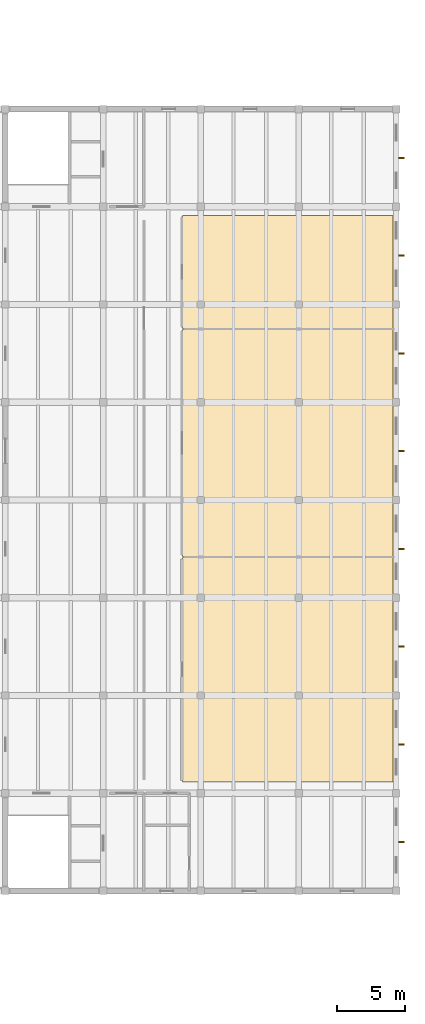
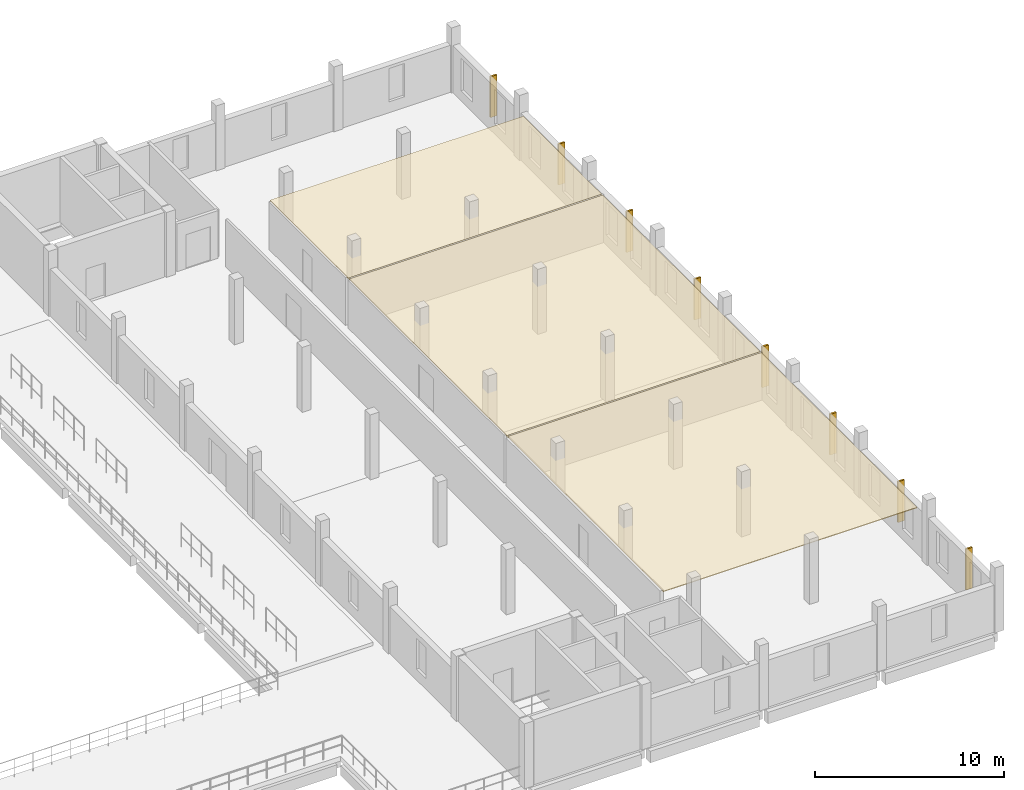
# One storey, part 63 of 63: 8 shading devices, 3 coverings.
"""IFC4 building model written with IfcOpenShell, lengths in metres."""

from ifc_helpers import new_model, si_unit, direction, frame, origin, origin_2d, place, context, subcontext, project, spatial, polyline, rectangle, outline, extrude, material, layer, layer_set, material_profile, profile_set, type_object, element, save


model = new_model("IFC4")

# Units and contexts
model_context = context("Model", 3, precision=1e-05, world=origin(), true_north=direction((0.0, 1.0)))
body_context = subcontext(model_context, "Body", "Model", "MODEL_VIEW")
ifc_project = project(units=[si_unit("LENGTHUNIT", "METRE"), si_unit("AREAUNIT", "SQUARE_METRE"), si_unit("VOLUMEUNIT", "CUBIC_METRE"), si_unit("PLANEANGLEUNIT", "RADIAN"), si_unit("MASSUNIT", "GRAM", prefix="KILO")], contexts=[model_context])

# Site, building, storey
site_placement = place(None, origin())
site = spatial("IfcSite", under=ifc_project, at=site_placement, CompositionType="ELEMENT")
building_placement = place(site_placement, origin())
building = spatial("IfcBuilding", under=site, at=building_placement, Name="Qiaolan Assembly House", CompositionType="ELEMENT")
storey_placement = place(building_placement, frame((0.0, 0.0, 14.39990234375)))
storey = spatial("IfcBuildingStorey", under=building, at=storey_placement, Name="L03", CompositionType="ELEMENT", Elevation=14.39990234375)

# Coverings
ifc_material_1 = material(Name="Gypsum plasterboard acoustic ceiling")
ifc_layer_1 = layer(ifc_material_1, 0.044921875)
ifc_layer_set_1 = layer_set([ifc_layer_1], Name="Gypsum plasterboard acoustic ceiling")
covering_type_1 = type_object("IfcCoveringType", Name="COV-CEIL-ACOUSTIC", PredefinedType="CEILING", material=ifc_layer_set_1)
covering_1_placement = place(storey_placement, frame((0.0, 0.0, 3.03515625)))
element("IfcCovering", 1, at=covering_1_placement, inside=storey, type_object=covering_type_1, Name="Coffer ceiling Rare Books & Historic Municipal Charter Vault", PredefinedType="CEILING", context=body_context, shape_type="SweptSolid", body=[
    extrude(outline(polyline([(157.0400390625, 36.840087890625), (172.550048828125, 36.840087890625), (172.550048828125, 53.360107421875), (157.0400390625, 53.360107421875), (157.0400390625, 36.840087890625)])), origin(), (0.0, 0.0, 1.0), 0.044921875),
])
covering_2_placement = place(storey_placement, frame((0.0, 0.0, 3.03515625)))
element("IfcCovering", 2, at=covering_2_placement, inside=storey, type_object=covering_type_1, Name="Coffer ceiling Chief Librarian & Archivist Suite", PredefinedType="CEILING", context=body_context, shape_type="SweptSolid", body=[
    extrude(outline(polyline([(157.0400390625, 70.239990234375), (172.550048828125, 70.239990234375), (172.550048828125, 78.56005859375), (157.0400390625, 78.56005859375), (157.0400390625, 70.239990234375)])), origin(), (0.0, 0.0, 1.0), 0.044921875),
])
ifc_material_2 = material(Name="Acoustic oak panelling")
ifc_layer_2 = layer(ifc_material_2, 0.06396484375)
ifc_layer_set_2 = layer_set([ifc_layer_2], Name="Acoustic oak panelling")
covering_type_2 = type_object("IfcCoveringType", Name="COV-CEIL-COFFERED", PredefinedType="CEILING", material=ifc_layer_set_2)
covering_3_placement = place(storey_placement, frame((0.0, 0.0, 3.01611328125)))
element("IfcCovering", 3, at=covering_3_placement, inside=storey, type_object=covering_type_2, Name="Coffer ceiling Rare Manuscript Conservation & Reading Salon", PredefinedType="CEILING", context=body_context, shape_type="SweptSolid", body=[
    extrude(outline(polyline([(157.0400390625, 53.43994140625), (172.550048828125, 53.43994140625), (172.550048828125, 70.159912109375), (157.0400390625, 70.159912109375), (157.0400390625, 53.43994140625)])), origin(), (0.0, 0.0, 1.0), 0.06396484375),
])

# Shading devices
ifc_material_3 = material(Name="Honed pale limestone", Category="masonry")
ifc_material_profile = material_profile(ifc_material_3, rectangle(XDim=0.110107421875, YDim=0.39990234375, at=origin_2d()), Name="FIN 110x400")
ifc_profile_set = profile_set([ifc_material_profile], Name="Honed pale limestone")
shading_device_type = type_object("IfcShadingDeviceType", Name="SHD-FIN-LIB-400", PredefinedType="JALOUSIE", material=ifc_profile_set)
for number, where, z_axis, x_axis, name in (
    (4, (173.159912109375, 32.39990234375, 0.300048828125), (0.0, 0.0, 1.0), (0.0, 1.0, 0.0), "SH-03 library east stone fin L03-1"),
    (5, (173.159912109375, 39.60009765625, 0.300048828125), (0.0, 0.0, 1.0), (0.0, 1.0, 0.0), "SH-03 library east stone fin L03-2"),
    (6, (173.159912109375, 46.800048828125, 0.300048828125), (0.0, 0.0, 1.0), (0.0, 1.0, 0.0), "SH-03 library east stone fin L03-3"),
    (7, (173.159912109375, 54.0, 0.300048828125), (0.0, 0.0, 1.0), (0.0, 1.0, 0.0), "SH-03 library east stone fin L03-4"),
    (8, (173.159912109375, 61.199951171875, 0.300048828125), (0.0, 0.0, 1.0), (0.0, 1.0, 0.0), "SH-03 library east stone fin L03-5"),
    (9, (173.159912109375, 68.39990234375, 0.300048828125), (0.0, 0.0, 1.0), (0.0, 1.0, 0.0), "SH-03 library east stone fin L03-6"),
    (10, (173.159912109375, 75.60009765625, 0.300048828125), (0.0, 0.0, 1.0), (0.0, 1.0, 0.0), "SH-03 library east stone fin L03-7"),
    (11, (173.159912109375, 82.800048828125, 0.300048828125), (0.0, 0.0, 1.0), (0.0, 1.0, 0.0), "SH-03 library east stone fin L03-8"),
):
    element("IfcShadingDevice", number, at=place(storey_placement, frame(where, z_axis=z_axis, x_axis=x_axis)), inside=storey, type_object=shading_device_type, Name=name, PredefinedType="JALOUSIE", context=body_context, shape_type="SweptSolid", body=[
        extrude(rectangle(XDim=0.110107421875, YDim=0.39990234375, at=origin_2d()), origin(), (0.0, 0.0, 1.0), 2.64013671875),
    ])

save(model, "model.ifc")
